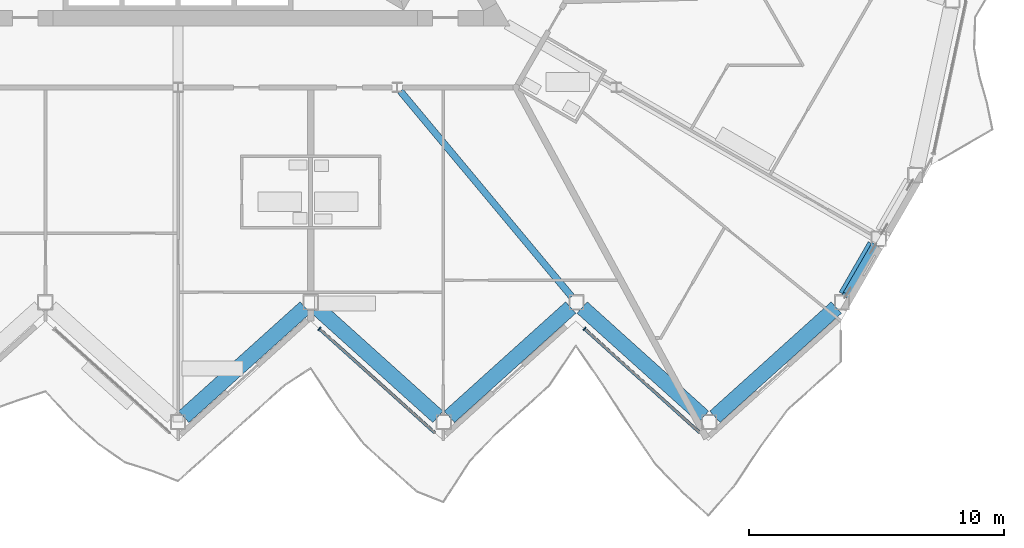
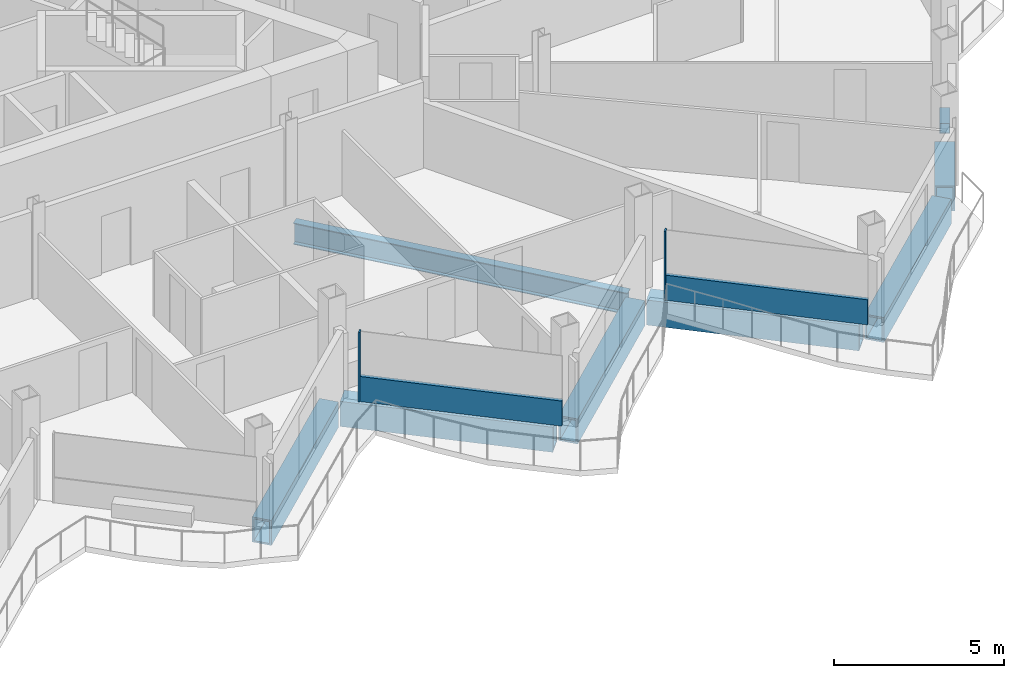
# One storey, part 7 of 28: 7 beams, 5 members, 2 elements without a shape of their own.
"""IFC4 building model written with IfcOpenShell, lengths in metres."""

import ifcopenshell
import ifcopenshell.guid

model = None  # the IFC model being written
_history = None  # IfcOwnerHistory: only IFC2X3 demands one
_inside = {}  # id of a spatial element -> (the spatial element, [elements in it])
_under = {}  # id of a project, library or spatial element -> (it, [spatial elements below it])
_declared = {}  # id of a project -> (the project, [libraries it declares])
_typed = {}  # id of a type object -> (the type object, [elements of that type])
_made_of = {}  # id of a material, layer set ... -> (it, [elements and type objects made of it])


def new_model(schema):
    """Start an empty IFC model of exactly this schema.

    Asked for "IFC4X3", IfcOpenShell would pick the latest addendum, in which some entities
    have other attributes; the version numbers below select the first issue.
    IFC2X3 requires an IfcOwnerHistory on every rooted entity: one is made here for all.
    """
    global model, _history
    if schema == "IFC4X3":
        model = ifcopenshell.file(schema_version=(4, 3, 0, 0))
    else:
        model = ifcopenshell.file(schema=schema)
    _inside.clear()
    _under.clear()
    _declared.clear()
    _typed.clear()
    _made_of.clear()
    _history = None
    if model.schema == "IFC2X3":
        org = make("IfcOrganization", Name="unknown")
        user = make(
            "IfcPersonAndOrganization",
            ThePerson=make("IfcPerson", FamilyName="unknown"),
            TheOrganization=org,
        )
        app = make(
            "IfcApplication",
            ApplicationDeveloper=org,
            Version="unknown",
            ApplicationFullName="unknown",
            ApplicationIdentifier="unknown",
        )
        _history = make(
            "IfcOwnerHistory",
            OwningUser=user,
            OwningApplication=app,
            ChangeAction="ADDED",
            CreationDate=0,
        )
    return model


def make(cls, **values):
    """One entity of the class cls with the attributes given. An attribute that is None is left unset."""
    return model.create_entity(
        cls, **{name: value for name, value in values.items() if value is not None}
    )


def rooted(cls, **values):
    """An entity with a GlobalId (a new one), such as an element, a storey or a relation."""
    return make(cls, GlobalId=ifcopenshell.guid.new(), OwnerHistory=_history, **values)


def si_unit(unit_type, name, prefix=None):
    """IfcSIUnit, for example si_unit("LENGTHUNIT", "METRE", prefix="MILLI")."""
    return make("IfcSIUnit", UnitType=unit_type, Prefix=prefix, Name=name)


def assignment(units):
    """IfcUnitAssignment: the units of a project."""
    return None if units is None else make("IfcUnitAssignment", Units=units)


def point(xyz):
    """IfcCartesianPoint."""
    return None if xyz is None else make("IfcCartesianPoint", Coordinates=xyz)


def direction(xyz):
    """IfcDirection."""
    return None if xyz is None else make("IfcDirection", DirectionRatios=xyz)


def frame(location, z_axis=None, x_axis=None):
    """IfcAxis2Placement3D, a coordinate frame: its origin and axes. An axis left out is left unset."""
    return make(
        "IfcAxis2Placement3D",
        Location=point(location),
        Axis=direction(z_axis),
        RefDirection=direction(x_axis),
    )


def frame_2d(location, x_axis=None):
    """IfcAxis2Placement2D, a coordinate frame in the plane: its origin and x axis."""
    return make(
        "IfcAxis2Placement2D", Location=point(location), RefDirection=direction(x_axis)
    )


def origin():
    """The frame at (0, 0, 0) with its axes left unset."""
    return frame((0.0, 0.0, 0.0))


def origin_2d():
    """The frame at (0, 0) in the plane with its x axis left unset."""
    return frame_2d((0.0, 0.0))


def place(relative_to, where):
    """IfcLocalPlacement: puts the frame where relative to a parent placement (None: the world)."""
    return make(
        "IfcLocalPlacement", PlacementRelTo=relative_to, RelativePlacement=where
    )


def context(
    kind, dimensions, precision=None, world=None, true_north=None, identifier=None
):
    """IfcGeometricRepresentationContext, for example the 3D "Model" context."""
    return make(
        "IfcGeometricRepresentationContext",
        ContextIdentifier=identifier,
        ContextType=kind,
        CoordinateSpaceDimension=dimensions,
        Precision=precision,
        WorldCoordinateSystem=world,
        TrueNorth=true_north,
    )


def subcontext(parent, identifier, kind, view, scale=None):
    """IfcGeometricRepresentationSubContext, for example "Body" below "Model"."""
    return make(
        "IfcGeometricRepresentationSubContext",
        ContextIdentifier=identifier,
        ContextType=kind,
        ParentContext=parent,
        TargetScale=scale,
        TargetView=view,
    )


def project(units=None, contexts=None):
    """IfcProject with its units and contexts."""
    return rooted(
        "IfcProject",
        Name="project",
        RepresentationContexts=contexts,
        UnitsInContext=assignment(units),
    )


def spatial(cls, under=None, at=None, **own):
    """A site, building, storey or space (cls), placed at a placement, below another one or the project."""
    s = rooted(cls, ObjectPlacement=at, **own)
    if under is not None:
        _under.setdefault(under.id(), (under, []))[1].append(s)
    return s


def profile(cls, at=None, kind="AREA", **sizes):
    """A parametric profile (cls). Its sizes go by their IFC names, for example OverallWidth=200.0."""
    return make(cls, ProfileType=kind, Position=at, **sizes)


def rectangle(**sizes):
    """IfcRectangleProfileDef."""
    return profile("IfcRectangleProfileDef", **sizes)


def hollow_rectangle(**sizes):
    """IfcRectangleHollowProfileDef."""
    return profile("IfcRectangleHollowProfileDef", **sizes)


def i_section(**sizes):
    """IfcIShapeProfileDef."""
    return profile("IfcIShapeProfileDef", **sizes)


def extrude(swept, where, along, depth):
    """IfcExtrudedAreaSolid: the profile swept, set in the frame where, extruded along a direction by depth."""
    return make(
        "IfcExtrudedAreaSolid",
        SweptArea=swept,
        Position=where,
        ExtrudedDirection=direction(along),
        Depth=depth,
    )


def shape(context_of_items, identifier, shape_type, items):
    """IfcShapeRepresentation: the items that make up one representation, for example the "Body"."""
    return make(
        "IfcShapeRepresentation",
        ContextOfItems=context_of_items,
        RepresentationIdentifier=identifier,
        RepresentationType=shape_type,
        Items=items,
    )


def material(Name=None, Category=None):
    """IfcMaterial."""
    return make("IfcMaterial", Name=Name, Category=Category)


def layer(
    of_material, thickness, ventilated=None, Name=None, Category=None, Priority=None
):
    """IfcMaterialLayer: one layer of a wall or slab, of a material (None: an air gap)."""
    return make(
        "IfcMaterialLayer",
        Material=of_material,
        LayerThickness=thickness,
        IsVentilated=ventilated,
        Name=Name,
        Category=Category,
        Priority=Priority,
    )


def layer_set(layers, Name=None):
    """IfcMaterialLayerSet."""
    return make("IfcMaterialLayerSet", MaterialLayers=layers, LayerSetName=Name)


def material_profile(
    of_material, cross_section, Name=None, Category=None, Priority=None
):
    """IfcMaterialProfile: a cross section and its material."""
    return make(
        "IfcMaterialProfile",
        Name=Name,
        Material=of_material,
        Profile=cross_section,
        Priority=Priority,
        Category=Category,
    )


def profile_set(profiles, Name=None, composite=None):
    """IfcMaterialProfileSet."""
    return make(
        "IfcMaterialProfileSet",
        Name=Name,
        MaterialProfiles=profiles,
        CompositeProfile=composite,
    )


def made_of(thing, what):
    """Note that an element or type object is made of a material, layer set ...; save() writes the relation."""
    if what is not None:
        _made_of.setdefault(what.id(), (what, []))[1].append(thing)
    return thing


def type_object(cls, material=None, **own):
    """A type object (cls), such as IfcWallType, which elements share."""
    return made_of(rooted(cls, **own), material)


def element(
    cls,
    number,
    at=None,
    inside=None,
    cuts=None,
    type_object=None,
    material=None,
    context=None,
    identifier="Body",
    shape_type=None,
    held_by="IfcProductDefinitionShape",
    body=None,
    shapes=None,
    **own,
):
    """One element of the class cls, such as IfcWall. Its Tag is "e" and its number.

    at: its placement. inside: the storey or other place that contains it. cuts: it is an
    opening in that element (IfcRelVoidsElement). A single representation is given by context,
    identifier, shape_type and body (its items); several are given by shapes. held_by: the class
    of the entity that holds the representations. save() writes the other relations.
    """
    e = rooted(cls, Tag="e%d" % number, ObjectPlacement=at, **own)
    if body is not None:
        shapes = [shape(context, identifier, shape_type, body)]
    if shapes is not None:
        e.Representation = make(held_by, Representations=shapes)
    if inside is not None:
        _inside.setdefault(inside.id(), (inside, []))[1].append(e)
    if cuts is not None:
        rooted(
            "IfcRelVoidsElement", RelatingBuildingElement=cuts, RelatedOpeningElement=e
        )
    if type_object is not None:
        _typed.setdefault(type_object.id(), (type_object, []))[1].append(e)
    return made_of(e, material)


def aggregate(whole, parts):
    """IfcRelAggregates: a whole, such as a stair, and the parts it consists of."""
    return rooted("IfcRelAggregates", RelatingObject=whole, RelatedObjects=parts)


def save(model, path):
    """Write the relations noted so far, then the file.

    IfcRelAggregates (storeys below a building ...), IfcRelContainedInSpatialStructure (elements
    in a storey), IfcRelDefinesByType, IfcRelAssociatesMaterial and IfcRelDeclares: one each for
    every whole, place, type object, material and project.
    """
    for whole, parts in _under.values():
        aggregate(whole, parts)
    for where, things in _inside.values():
        rooted(
            "IfcRelContainedInSpatialStructure",
            RelatedElements=things,
            RelatingStructure=where,
        )
    for kind, things in _typed.values():
        rooted("IfcRelDefinesByType", RelatedObjects=things, RelatingType=kind)
    for what, things in _made_of.values():
        rooted("IfcRelAssociatesMaterial", RelatedObjects=things, RelatingMaterial=what)
    for by, libraries in _declared.values():
        rooted("IfcRelDeclares", RelatingContext=by, RelatedDefinitions=libraries)
    model.write(path)


model = new_model("IFC4")

# Units and contexts
model_context = context("Model", 3, precision=1e-05, world=origin(), true_north=direction((0.0, 1.0)))
body_context = subcontext(model_context, "Body", "Model", "MODEL_VIEW")
ifc_project = project(units=[si_unit("LENGTHUNIT", "METRE"), si_unit("AREAUNIT", "SQUARE_METRE"), si_unit("VOLUMEUNIT", "CUBIC_METRE"), si_unit("PLANEANGLEUNIT", "RADIAN"), si_unit("MASSUNIT", "GRAM", prefix="KILO")], contexts=[model_context])

# Site, building, storey
site_placement = place(None, origin())
site = spatial("IfcSite", under=ifc_project, at=site_placement, CompositionType="ELEMENT")
building_placement = place(site_placement, origin())
building = spatial("IfcBuilding", under=site, at=building_placement, Name="Cormorant Prow Tower", CompositionType="ELEMENT")
storey_placement = place(building_placement, frame((0.0, 0.0, 301.800048828125)))
storey = spatial("IfcBuildingStorey", under=building, at=storey_placement, Name="L65", CompositionType="ELEMENT", Elevation=301.800048828125)

# Beams
ifc_material_1 = material(Name="Structural steel ASTM A572 Gr 50", Category="steel")
ifc_material_profile_1 = material_profile(ifc_material_1, hollow_rectangle(XDim=0.60009765625, YDim=0.89990234375, WallThickness=0.06005859375, at=origin_2d()), Name="Box 900x600x60")
ifc_profile_set_1 = profile_set([ifc_material_profile_1], Name="Structural steel ASTM A572 Gr 50")
beam_type_1 = type_object("IfcBeamType", Name="Belt truss top chord 900x600x60", PredefinedType="BEAM", material=ifc_profile_set_1)
for number, where, z_axis, x_axis, name in (
    (1, (0.222900390625, -22.807373046875, -0.75), (0.743144186555, 0.669131315954, 0.0), (-0.669131315954, 0.743144186555, 0.0), "Belt truss top chord TC2 S05-S06 L65"),
    (2, (5.422119140625, -18.527587890625, -0.75), (0.743144186555, -0.669131315954, 0.0), (0.669131315954, 0.743144186555, 0.0), "Belt truss top chord TC2 S06-S07 L65"),
    (3, (10.62109375, -22.807373046875, -0.75), (0.743144186555, 0.669131315954, 0.0), (-0.669131315954, 0.743144186555, 0.0), "Belt truss top chord TC2 S07-S08 L65"),
):
    element("IfcBeam", number, at=place(storey_placement, frame(where, z_axis=z_axis, x_axis=x_axis)), inside=storey, type_object=beam_type_1, Name=name, PredefinedType="BEAM", context=body_context, shape_type="SweptSolid", body=[
        extrude(hollow_rectangle(XDim=0.60009765625, YDim=0.89990234375, WallThickness=0.06005859375, at=origin_2d()), origin(), (0.0, 0.0, 1.0), 6.39599609375),
    ])
beam_1_placement = place(storey_placement, frame((15.820068359375, -18.527587890625, -0.75), z_axis=(0.743161276225, -0.669112335502, 0.0), x_axis=(0.669112335502, 0.743161276225, 0.0)))
element("IfcBeam", 4, at=beam_1_placement, inside=storey, type_object=beam_type_1, Name="Belt truss top chord TC2 S08-S09 L65", PredefinedType="BEAM", context=body_context, shape_type="SweptSolid", body=[
    extrude(hollow_rectangle(XDim=0.60009765625, YDim=0.89990234375, WallThickness=0.06005859375, at=origin_2d()), origin(), (0.0, 0.0, 1.0), 6.396240234375),
])
beam_2_placement = place(storey_placement, frame((21.019287109375, -22.807373046875, -0.75), z_axis=(0.743144186555, 0.669131315954, 0.0), x_axis=(-0.669131315954, 0.743144186555, 0.0)))
element("IfcBeam", 5, at=beam_2_placement, inside=storey, type_object=beam_type_1, Name="Belt truss top chord TC2 S09-ESE00 L65", PredefinedType="BEAM", context=body_context, shape_type="SweptSolid", body=[
    extrude(hollow_rectangle(XDim=0.60009765625, YDim=0.89990234375, WallThickness=0.06005859375, at=origin_2d()), origin(), (0.0, 0.0, 1.0), 6.39599609375),
])
beam_3_placement = place(storey_placement, frame((26.1455078125, -18.06689453125, -0.75), z_axis=(0.49997342893, 0.866040744055, 0.0), x_axis=(-0.866040744055, 0.49997342893, 0.0)))
element("IfcBeam", 6, at=beam_3_placement, inside=storey, type_object=beam_type_1, Name="Belt truss top chord TC2 ESE00-ESE01 L65", PredefinedType="BEAM", context=body_context, shape_type="SweptSolid", body=[
    extrude(hollow_rectangle(XDim=0.60009765625, YDim=0.89990234375, WallThickness=0.06005859375, at=origin_2d()), origin(), (0.0, 0.0, 1.0), 2.2734375),
])

# Member
ifc_material_2 = material(Name="Structural steel ASTM A500 Gr C", Category="steel")
ifc_material_profile_2 = material_profile(ifc_material_2, hollow_rectangle(XDim=0.3046875, YDim=0.3046875, WallThickness=0.01171875, at=origin_2d()), Name="HSS12x12x1/2")
ifc_profile_set_2 = profile_set([ifc_material_profile_2], Name="Structural steel ASTM A500 Gr C")
member_type_1 = type_object("IfcMemberType", Name="Chamfer brace HSS12x12x1/2", PredefinedType="BRACE", material=ifc_profile_set_2)
member_1_placement = place(storey_placement, frame((27.27490234375, -16.110595703125, 0.740966796875), z_axis=(-0.456247183882, -0.790292391402, 0.408994429415), x_axis=(0.866038851724, -0.499976706761, 0.0)))
element("IfcMember", 7, at=member_1_placement, inside=storey, type_object=member_type_1, Name="Chamfer brace BR3 at ESE00 L65", PredefinedType="BRACE", context=body_context, shape_type="SweptSolid", body=[
    extrude(hollow_rectangle(XDim=0.3046875, YDim=0.3046875, WallThickness=0.01171875, at=origin_2d()), origin(), (0.0, 0.0, 1.0), 2.459228515625),
])

# Beam
ifc_material_3 = material(Name="Structural steel ASTM A992 Gr 50", Category="steel")
ifc_material_profile_3 = material_profile(ifc_material_3, i_section(OverallWidth=0.267822265625, OverallDepth=0.77001953125, WebThickness=0.015625, FlangeThickness=0.025390625, at=origin_2d()), Name="W30x132")
ifc_profile_set_3 = profile_set([ifc_material_profile_3], Name="Structural steel ASTM A992 Gr 50")
beam_type_2 = type_object("IfcBeamType", Name="Radial floor beam W30x132", PredefinedType="BEAM", material=ifc_profile_set_3)
beam_4_placement = place(storey_placement, frame((8.705078125, -10.057373046875, -0.68505859375), z_axis=(0.640239469619, -0.768175384624, 0.0), x_axis=(0.768175384624, 0.640239469619, 0.0)))
element("IfcBeam", 8, at=beam_4_placement, inside=storey, type_object=beam_type_2, Name="Radial floor beam FB3 8 L65", PredefinedType="BEAM", context=body_context, shape_type="SweptSolid", body=[
    extrude(i_section(OverallWidth=0.267822265625, OverallDepth=0.77001953125, WebThickness=0.015625, FlangeThickness=0.025390625, at=origin_2d()), origin(), (0.0, 0.0, 1.0), 10.465087890625),
])

# Curtain wall, member
ifc_material_4 = material(Name="Aluminium 6063-T6", Category="aluminium")
ifc_layer = layer(ifc_material_4, 0.159912109375)
ifc_layer_set = layer_set([ifc_layer], Name="Aluminium 6063-T6")
curtain_wall_type = type_object("IfcCurtainWallType", Name="Residential unitised curtain wall 160", PredefinedType="NOTDEFINED", material=ifc_layer_set)
curtain_wall_1_placement = place(storey_placement, origin())
curtain_wall_1 = element("IfcCurtainWall", 9, at=curtain_wall_1_placement, inside=storey, type_object=curtain_wall_type, Name="Residential curtain wall S06", PredefinedType="NOTDEFINED")
ifc_material_5 = material(Name="Aluminium 6063-T6", Category="aluminium")
ifc_material_profile_4 = material_profile(ifc_material_5, rectangle(XDim=0.159912109375, YDim=0.050048828125, at=origin_2d()), Name="Residential mullion 50x160")
ifc_profile_set_4 = profile_set([ifc_material_profile_4], Name="Aluminium 6063-T6")
member_type_2 = type_object("IfcMemberType", Name="Residential mullion 50x160", PredefinedType="MULLION", material=ifc_profile_set_4)
member_2_placement = place(storey_placement, frame((5.531982421875, -19.362060546875, 0.0), z_axis=(0.0, 0.0, 1.0), x_axis=(0.669130584997, 0.743144844712, 0.0)))
member_2 = element("IfcMember", 10, at=member_2_placement, type_object=member_type_2, Name="Residential mullion S06", PredefinedType="MULLION", context=body_context, shape_type="SweptSolid", body=[
    extrude(rectangle(XDim=0.159912109375, YDim=0.050048828125, at=origin_2d()), origin(), (0.0, 0.0, 1.0), 2.48779296875),
])

curtain_wall_2_placement = place(storey_placement, origin())
curtain_wall_2 = element("IfcCurtainWall", 11, at=curtain_wall_2_placement, inside=storey, type_object=curtain_wall_type, Name="Residential curtain wall S08", PredefinedType="NOTDEFINED")
member_3_placement = place(storey_placement, frame((15.913818359375, -19.362060546875, 0.0), z_axis=(0.0, 0.0, 1.0), x_axis=(0.669130584997, 0.743144844712, 0.0)))
member_3 = element("IfcMember", 12, at=member_3_placement, type_object=member_type_2, Name="Residential mullion S08", PredefinedType="MULLION", context=body_context, shape_type="SweptSolid", body=[
    extrude(rectangle(XDim=0.159912109375, YDim=0.050048828125, at=origin_2d()), origin(), (0.0, 0.0, 1.0), 2.48779296875),
])

# Member
ifc_material_6 = material(Name="Terracotta", Category="masonry")
ifc_material_profile_5 = material_profile(ifc_material_6, rectangle(XDim=0.1201171875, YDim=0.89990234375, at=origin_2d()), Name="Residential terracotta spandrel rail 120x900")
ifc_profile_set_5 = profile_set([ifc_material_profile_5], Name="Terracotta")
member_type_3 = type_object("IfcMemberType", Name="Residential terracotta spandrel rail 120x900", PredefinedType="USERDEFINED", material=ifc_profile_set_5)
member_4_placement = place(storey_placement, frame((5.550537109375, -19.37890625, 0.449951171875), z_axis=(0.74315806971, -0.669115896856, 0.0), x_axis=(0.669115896856, 0.74315806971, 0.0)))
member_4 = element("IfcMember", 13, at=member_4_placement, type_object=member_type_3, Name="Residential spandrel rail S06", ObjectType="TRANSOM", PredefinedType="USERDEFINED", context=body_context, shape_type="SweptSolid", body=[
    extrude(rectangle(XDim=0.1201171875, YDim=0.89990234375, at=origin_2d()), origin(), (0.0, 0.0, 1.0), 6.067138671875),
])

aggregate(curtain_wall_1, [member_2, member_4])

member_5_placement = place(storey_placement, frame((15.9326171875, -19.37890625, 0.449951171875), z_axis=(0.743140052667, -0.669135907064, 0.0), x_axis=(0.669135907064, 0.743140052667, 0.0)))
member_5 = element("IfcMember", 14, at=member_5_placement, type_object=member_type_3, Name="Residential spandrel rail S08", ObjectType="TRANSOM", PredefinedType="USERDEFINED", context=body_context, shape_type="SweptSolid", body=[
    extrude(rectangle(XDim=0.1201171875, YDim=0.89990234375, at=origin_2d()), origin(), (0.0, 0.0, 1.0), 6.06689453125),
])

aggregate(curtain_wall_2, [member_3, member_5])

save(model, "model.ifc")
